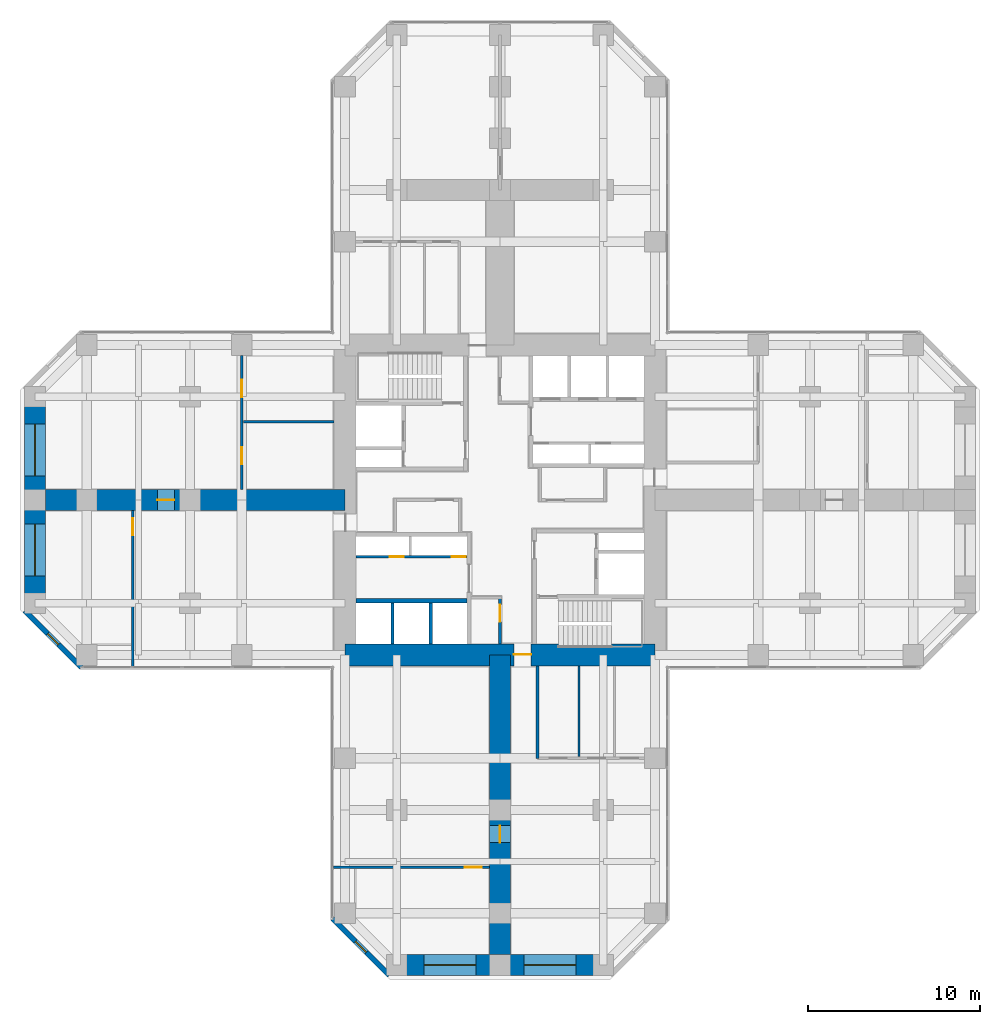
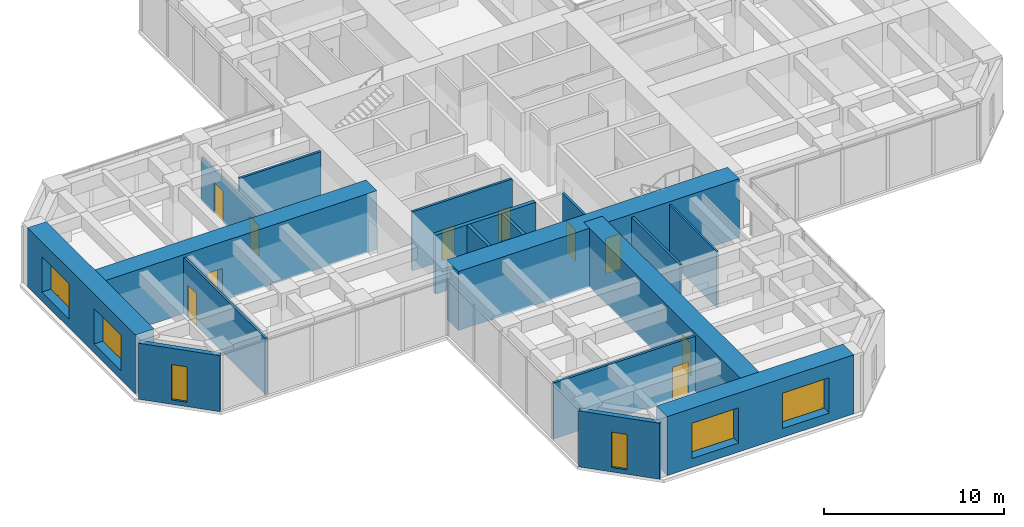
# One storey, part 8 of 12: 18 walls, 10 doors, 6 windows, 16 openings.
"""IFC4 building model written with IfcOpenShell, lengths in metres."""

from ifc_helpers import new_model, si_unit, direction, frame, frame_2d, origin, place, context, subcontext, project, spatial, rectangle, hollow_rectangle, extrude, material, layer, layer_set, constituent, constituent_set, type_object, element, fill, save


model = new_model("IFC4")

# Units and contexts
model_context = context("Model", 3, precision=1e-05, world=origin(), true_north=direction((0.0, 1.0)))
body_context = subcontext(model_context, "Body", "Model", "MODEL_VIEW")
ifc_project = project(units=[si_unit("LENGTHUNIT", "METRE"), si_unit("AREAUNIT", "SQUARE_METRE"), si_unit("VOLUMEUNIT", "CUBIC_METRE"), si_unit("PLANEANGLEUNIT", "RADIAN"), si_unit("MASSUNIT", "GRAM", prefix="KILO")], contexts=[model_context])

# Site, building, storey
site_placement = place(None, origin())
site = spatial("IfcSite", under=ifc_project, at=site_placement, CompositionType="ELEMENT")
building_placement = place(site_placement, origin())
building = spatial("IfcBuilding", under=site, at=building_placement, Name="Torre Cruceta", CompositionType="ELEMENT")
storey_placement = place(building_placement, frame((0.0, 0.0, 59.5)))
storey = spatial("IfcBuildingStorey", under=building, at=storey_placement, Name="L14", CompositionType="ELEMENT", Elevation=59.5)

# Wall
ifc_material_1 = material(Name="Concrete G60 (fck 60 MPa)", Category="concrete")
ifc_layer_1 = layer(ifc_material_1, 0.25)
ifc_layer_set_1 = layer_set([ifc_layer_1], Name="Concrete G60 (fck 60 MPa)")
wall_type_1 = type_object("IfcWallType", Name="CORE INNER WALL 250 G60", PredefinedType="SHEAR", material=ifc_layer_set_1)
wall_1_placement = place(storey_placement, frame((-1.925048828125, -5.85009765625, 0.0), z_axis=(0.0, 0.0, 1.0), x_axis=(-1.0, 0.0, 0.0)))
element("IfcWall", 1, at=wall_1_placement, inside=storey, type_object=wall_type_1, Name="CW4 L14 SW-LV", PredefinedType="SHEAR", context=body_context, shape_type="SweptSolid", body=[
    extrude(rectangle(XDim=6.425048828125, YDim=0.25, at=frame_2d((3.21240234375, 0.0))), origin(), (0.0, 0.0, 1.0), 4.0),
])

# Wall, opening, door
ifc_material_2 = material(Name="Concrete G60 (fck 60 MPa)", Category="concrete")
ifc_layer_2 = layer(ifc_material_2, 1.300048828125)
ifc_layer_set_2 = layer_set([ifc_layer_2], Name="Concrete G60 (fck 60 MPa)")
wall_type_2 = type_object("IfcWallType", Name="CORE WALL 1300 G60", PredefinedType="SHEAR", material=ifc_layer_set_2)
wall_2_placement = place(storey_placement, frame((-9.0, -9.0, 0.0), z_axis=(0.0, 0.0, 1.0), x_axis=(1.0, 0.0, 0.0)))
wall_2 = element("IfcWall", 2, at=wall_2_placement, inside=storey, type_object=wall_type_2, Name="CW1 L14 CW-S", PredefinedType="SHEAR", context=body_context, shape_type="SweptSolid", body=[
    extrude(rectangle(XDim=18.0, YDim=1.300048828125, at=frame_2d((9.0, 0.0))), origin(), (0.0, 0.0, 1.0), 4.0),
])
opening_1_placement = place(wall_2_placement, frame((9.800048828125, 0.0, 0.0)))
opening_1 = element("IfcOpeningElement", 3, at=opening_1_placement, cuts=wall_2, Name="Opening D4", PredefinedType="OPENING", context=body_context, shape_type="SweptSolid", body=[
    extrude(rectangle(XDim=1.0, YDim=2.39990234375, at=frame_2d((0.5, 1.199951171875))), frame((0.0, 0.659912109375, 0.0), z_axis=(0.0, -1.0, 0.0), x_axis=(1.0, 0.0, 0.0)), (0.0, 0.0, 1.0), 1.320068359375),
])
ifc_material_3 = material(Name="Steel DX51D", Category="steel")
ifc_constituent_1 = constituent(ifc_material_3, Name="Leaf and frame")
ifc_material_4 = material(Name="Polyester powder coating", Category="paint")
ifc_constituent_2 = constituent(ifc_material_4, Name="Finish")
ifc_constituent_set_1 = constituent_set(constituents=[ifc_constituent_1, ifc_constituent_2], Name="Steel fire door")
door_type_1 = type_object("IfcDoorType", Name="CORE ARM DOOR 1000X2400", OperationType="SINGLE_SWING_RIGHT", PredefinedType="DOOR", material=ifc_constituent_set_1)
door_1_placement = place(opening_1_placement, frame((1.0, 0.0, 0.0), z_axis=(0.0, 0.0, 1.0), x_axis=(-1.0, 0.0, 0.0)))
door_1 = element("IfcDoor", 4, at=door_1_placement, inside=storey, type_object=door_type_1, Name="D4 L14 CW-S", OperationType="SINGLE_SWING_RIGHT", OverallHeight=2.39990234375, OverallWidth=1.0, PredefinedType="DOOR", context=body_context, shape_type="SweptSolid", body=[
    extrude(rectangle(XDim=1.0, YDim=2.39990234375, at=frame_2d((0.5, 1.199951171875))), frame((0.0, -0.005126953125, 0.0), z_axis=(0.0, -1.0, 0.0), x_axis=(1.0, 0.0, 0.0)), (0.0, 0.0, 1.0), 0.050048828125),
])
fill(opening_1, door_1)

# Wall, opening, window
ifc_material_5 = material(Name="Concrete G30 (fck 30 MPa)", Category="concrete")
ifc_layer_3 = layer(ifc_material_5, 0.300048828125)
ifc_layer_set_3 = layer_set([ifc_layer_3], Name="Concrete G30 (fck 30 MPa)")
wall_type_3 = type_object("IfcWallType", Name="EXPOSED CONCRETE FACADE WALL 300", PredefinedType="SOLIDWALL", material=ifc_layer_set_3)
wall_3_placement = place(storey_placement, frame((-27.60009765625, -6.418212890625, 0.0), z_axis=(0.0, 0.0, 1.0), x_axis=(0.707106781187, -0.707106781187, 0.0)))
wall_3 = element("IfcWall", 5, at=wall_3_placement, inside=storey, type_object=wall_type_3, Name="EW1 facade wall L14 W chamfer 13", PredefinedType="SOLIDWALL", context=body_context, shape_type="SweptSolid", body=[
    extrude(rectangle(XDim=4.66943359375, YDim=0.300048828125, at=frame_2d((2.334716796875, 0.0))), origin(), (0.0, 0.0, 1.0), 3.800048828125),
])
opening_2_placement = place(wall_3_placement, frame((1.884765625, 0.0, 0.300048828125)))
opening_2 = element("IfcOpeningElement", 6, at=opening_2_placement, cuts=wall_3, Name="Opening WN5", PredefinedType="OPENING", context=body_context, shape_type="SweptSolid", body=[
    extrude(rectangle(XDim=0.89990234375, YDim=2.39990234375, at=frame_2d((0.449951171875, 1.199951171875))), frame((0.0, 0.159912109375, 0.0), z_axis=(0.0, -1.0, 0.0), x_axis=(1.0, 0.0, 0.0)), (0.0, 0.0, 1.0), 0.320068359375),
])
ifc_material_6 = material(Name="Aluminium window frame", Category="aluminium")
ifc_constituent_3 = constituent(ifc_material_6, Name="Frame")
ifc_material_7 = material(Name="Laminated insulating glass unit, low-iron clear", Category="glass")
ifc_constituent_4 = constituent(ifc_material_7, Name="Glazing")
ifc_constituent_set_2 = constituent_set(constituents=[ifc_constituent_3, ifc_constituent_4], Name="Aluminium window")
window_type_1 = type_object("IfcWindowType", Name="CHAMFER SLOT WINDOW 900X2400", PartitioningType="SINGLE_PANEL", PredefinedType="WINDOW", material=ifc_constituent_set_2)
window_1_placement = place(opening_2_placement, origin())
window_1 = element("IfcWindow", 7, at=window_1_placement, inside=storey, type_object=window_type_1, Name="WN5 L14 W 1", OverallHeight=2.39990234375, OverallWidth=0.89990234375, PartitioningType="SINGLE_PANEL", PredefinedType="WINDOW", context=body_context, shape_type="SweptSolid", body=[
    extrude(hollow_rectangle(XDim=0.89990234375, YDim=2.39990234375, WallThickness=0.06005859375, at=frame_2d((0.449951171875, 1.199951171875))), frame((0.0, 0.030029296875, 0.0), z_axis=(0.0, -1.0, 0.0), x_axis=(1.0, 0.0, 0.0)), (0.0, 0.0, 1.0), 0.06005859375),
    extrude(rectangle(XDim=0.77880859375, YDim=2.27880859375, at=frame_2d((0.449951171875, 1.199951171875))), frame((0.0, 0.030029296875, 0.0), z_axis=(0.0, -1.0, 0.0), x_axis=(1.0, 0.0, 0.0)), (0.0, 0.0, 1.0), 0.06005859375),
])
fill(opening_2, window_1)

wall_4_placement = place(storey_placement, frame((-9.719970703125, -24.29833984375, 0.0), z_axis=(0.0, 0.0, 1.0), x_axis=(0.707106781187, -0.707106781187, 0.0)))
wall_4 = element("IfcWall", 8, at=wall_4_placement, inside=storey, type_object=wall_type_3, Name="EW1 facade wall L14 S chamfer 16", PredefinedType="SOLIDWALL", context=body_context, shape_type="SweptSolid", body=[
    extrude(rectangle(XDim=4.66943359375, YDim=0.300048828125, at=frame_2d((2.334716796875, 0.0))), origin(), (0.0, 0.0, 1.0), 3.800048828125),
])
opening_3_placement = place(wall_4_placement, frame((1.884765625, 0.0, 0.300048828125)))
opening_3 = element("IfcOpeningElement", 9, at=opening_3_placement, cuts=wall_4, Name="Opening WN5", PredefinedType="OPENING", context=body_context, shape_type="SweptSolid", body=[
    extrude(rectangle(XDim=0.89990234375, YDim=2.39990234375, at=frame_2d((0.449951171875, 1.199951171875))), frame((0.0, 0.159912109375, 0.0), z_axis=(0.0, -1.0, 0.0), x_axis=(1.0, 0.0, 0.0)), (0.0, 0.0, 1.0), 0.320068359375),
])
window_2_placement = place(opening_3_placement, origin())
window_2 = element("IfcWindow", 10, at=window_2_placement, inside=storey, type_object=window_type_1, Name="WN5 L14 S 1", OverallHeight=2.39990234375, OverallWidth=0.89990234375, PartitioningType="SINGLE_PANEL", PredefinedType="WINDOW", context=body_context, shape_type="SweptSolid", body=[
    extrude(hollow_rectangle(XDim=0.89990234375, YDim=2.39990234375, WallThickness=0.06005859375, at=frame_2d((0.449951171875, 1.199951171875))), frame((0.0, 0.030029296875, 0.0), z_axis=(0.0, -1.0, 0.0), x_axis=(1.0, 0.0, 0.0)), (0.0, 0.0, 1.0), 0.06005859375),
    extrude(rectangle(XDim=0.77880859375, YDim=2.27880859375, at=frame_2d((0.449951171875, 1.199951171875))), frame((0.0, 0.030029296875, 0.0), z_axis=(0.0, -1.0, 0.0), x_axis=(1.0, 0.0, 0.0)), (0.0, 0.0, 1.0), 0.06005859375),
])
fill(opening_3, window_2)

# Walls
ifc_material_8 = material(Name="Concrete G35 (fck 35 MPa)", Category="concrete")
ifc_layer_4 = layer(ifc_material_8, 0.199951171875)
ifc_layer_set_4 = layer_set([ifc_layer_4], Name="Concrete G35 (fck 35 MPa)")
wall_type_4 = type_object("IfcWallType", Name="LIFT SHAFT WALL 200", PredefinedType="PARTITIONING", material=ifc_layer_set_4)
for number, where, z_axis, x_axis, name in (
    (11, (-4.033447265625, -5.97509765625, 0.0), (0.0, 0.0, 1.0), (0.0, -1.0, 0.0), "SW1 L14 SW-LS1"),
    (12, (-6.24169921875, -5.97509765625, 0.0), (0.0, 0.0, 1.0), (0.0, -1.0, 0.0), "SW1 L14 SW-LS2"),
):
    element("IfcWall", number, at=place(storey_placement, frame(where, z_axis=z_axis, x_axis=x_axis)), inside=storey, type_object=wall_type_4, Name=name, PredefinedType="PARTITIONING", context=body_context, shape_type="SweptSolid", body=[
        extrude(rectangle(XDim=2.375, YDim=0.199951171875, at=frame_2d((1.1875, 0.0))), origin(), (0.0, 0.0, 1.0), 4.0),
    ])

# Wall, openings, windows
ifc_material_9 = material(Name="Concrete G60 (fck 60 MPa)", Category="concrete")
ifc_layer_5 = layer(ifc_material_9, 1.199951171875)
ifc_layer_set_5 = layer_set([ifc_layer_5], Name="Concrete G60 (fck 60 MPa)")
wall_type_5 = type_object("IfcWallType", Name="NOSE WALL 1200 G60", PredefinedType="SHEAR", material=ifc_layer_set_5)
wall_5_placement = place(storey_placement, frame((-6.0, -27.0, 0.0), z_axis=(0.0, 0.0, 1.0), x_axis=(1.0, 0.0, 0.0)))
wall_5 = element("IfcWall", 13, at=wall_5_placement, inside=storey, type_object=wall_type_5, Name="NW1 nose wall L14 S", PredefinedType="SHEAR", context=body_context, shape_type="SweptSolid", body=[
    extrude(rectangle(XDim=12.0, YDim=1.199951171875, at=frame_2d((6.0, 0.0))), origin(), (0.0, 0.0, 1.0), 4.0),
])
opening_4_placement = place(wall_5_placement, frame((1.60009765625, 0.0, 0.60009765625)))
opening_4 = element("IfcOpeningElement", 14, at=opening_4_placement, cuts=wall_5, Name="Opening WN6", PredefinedType="OPENING", context=body_context, shape_type="SweptSolid", body=[
    extrude(rectangle(XDim=3.0, YDim=2.39990234375, at=frame_2d((1.5, 1.199951171875))), frame((0.0, 0.60986328125, 0.0), z_axis=(0.0, -1.0, 0.0), x_axis=(1.0, 0.0, 0.0)), (0.0, 0.0, 1.0), 1.219970703125),
])
opening_5_placement = place(wall_5_placement, frame((7.39990234375, 0.0, 0.60009765625)))
opening_5 = element("IfcOpeningElement", 15, at=opening_5_placement, cuts=wall_5, Name="Opening WN6", PredefinedType="OPENING", context=body_context, shape_type="SweptSolid", body=[
    extrude(rectangle(XDim=3.0, YDim=2.39990234375, at=frame_2d((1.5, 1.199951171875))), frame((0.0, 0.60986328125, 0.0), z_axis=(0.0, -1.0, 0.0), x_axis=(1.0, 0.0, 0.0)), (0.0, 0.0, 1.0), 1.219970703125),
])
ifc_material_10 = material(Name="Aluminium window frame", Category="aluminium")
ifc_constituent_5 = constituent(ifc_material_10, Name="Frame")
ifc_material_11 = material(Name="Laminated insulating glass unit, low-iron clear", Category="glass")
ifc_constituent_6 = constituent(ifc_material_11, Name="Glazing")
ifc_constituent_set_3 = constituent_set(constituents=[ifc_constituent_5, ifc_constituent_6], Name="Aluminium window")
window_type_2 = type_object("IfcWindowType", Name="NOSE WALL WINDOW 3000X2400", PartitioningType="SINGLE_PANEL", PredefinedType="WINDOW", material=ifc_constituent_set_3)
window_3_placement = place(opening_4_placement, origin())
window_3 = element("IfcWindow", 16, at=window_3_placement, inside=storey, type_object=window_type_2, Name="WN6 L14 S 1", OverallHeight=2.39990234375, OverallWidth=3.0, PartitioningType="SINGLE_PANEL", PredefinedType="WINDOW", context=body_context, shape_type="SweptSolid", body=[
    extrude(hollow_rectangle(XDim=3.0, YDim=2.39990234375, WallThickness=0.06005859375, at=frame_2d((1.5, 1.199951171875))), frame((0.0, 0.030029296875, 0.0), z_axis=(0.0, -1.0, 0.0), x_axis=(1.0, 0.0, 0.0)), (0.0, 0.0, 1.0), 0.06005859375),
    extrude(rectangle(XDim=2.87890625, YDim=2.27880859375, at=frame_2d((1.5, 1.199951171875))), frame((0.0, 0.030029296875, 0.0), z_axis=(0.0, -1.0, 0.0), x_axis=(1.0, 0.0, 0.0)), (0.0, 0.0, 1.0), 0.06005859375),
])
fill(opening_4, window_3)
window_4_placement = place(opening_5_placement, origin())
window_4 = element("IfcWindow", 17, at=window_4_placement, inside=storey, type_object=window_type_2, Name="WN6 L14 S 2", OverallHeight=2.39990234375, OverallWidth=3.0, PartitioningType="SINGLE_PANEL", PredefinedType="WINDOW", context=body_context, shape_type="SweptSolid", body=[
    extrude(hollow_rectangle(XDim=3.0, YDim=2.39990234375, WallThickness=0.06005859375, at=frame_2d((1.5, 1.199951171875))), frame((0.0, 0.030029296875, 0.0), z_axis=(0.0, -1.0, 0.0), x_axis=(1.0, 0.0, 0.0)), (0.0, 0.0, 1.0), 0.06005859375),
    extrude(rectangle(XDim=2.87890625, YDim=2.27880859375, at=frame_2d((1.5, 1.199951171875))), frame((0.0, 0.030029296875, 0.0), z_axis=(0.0, -1.0, 0.0), x_axis=(1.0, 0.0, 0.0)), (0.0, 0.0, 1.0), 0.06005859375),
])
fill(opening_5, window_4)

wall_6_placement = place(storey_placement, frame((-27.0, 6.0, 0.0), z_axis=(0.0, 0.0, 1.0), x_axis=(0.0, -1.0, 0.0)))
wall_6 = element("IfcWall", 18, at=wall_6_placement, inside=storey, type_object=wall_type_5, Name="NW1 nose wall L14 W", PredefinedType="SHEAR", context=body_context, shape_type="SweptSolid", body=[
    extrude(rectangle(XDim=12.0, YDim=1.199951171875, at=frame_2d((6.0, 0.0))), origin(), (0.0, 0.0, 1.0), 4.0),
])
opening_6_placement = place(wall_6_placement, frame((1.60009765625, 0.0, 0.60009765625)))
opening_6 = element("IfcOpeningElement", 19, at=opening_6_placement, cuts=wall_6, Name="Opening WN6", PredefinedType="OPENING", context=body_context, shape_type="SweptSolid", body=[
    extrude(rectangle(XDim=3.0, YDim=2.39990234375, at=frame_2d((1.5, 1.199951171875))), frame((0.0, 0.60986328125, 0.0), z_axis=(0.0, -1.0, 0.0), x_axis=(1.0, 0.0, 0.0)), (0.0, 0.0, 1.0), 1.219970703125),
])
opening_7_placement = place(wall_6_placement, frame((7.39990234375, 0.0, 0.60009765625)))
opening_7 = element("IfcOpeningElement", 20, at=opening_7_placement, cuts=wall_6, Name="Opening WN6", PredefinedType="OPENING", context=body_context, shape_type="SweptSolid", body=[
    extrude(rectangle(XDim=3.0, YDim=2.39990234375, at=frame_2d((1.5, 1.199951171875))), frame((0.0, 0.60986328125, 0.0), z_axis=(0.0, -1.0, 0.0), x_axis=(1.0, 0.0, 0.0)), (0.0, 0.0, 1.0), 1.219970703125),
])
window_5_placement = place(opening_6_placement, origin())
window_5 = element("IfcWindow", 21, at=window_5_placement, inside=storey, type_object=window_type_2, Name="WN6 L14 W 1", OverallHeight=2.39990234375, OverallWidth=3.0, PartitioningType="SINGLE_PANEL", PredefinedType="WINDOW", context=body_context, shape_type="SweptSolid", body=[
    extrude(hollow_rectangle(XDim=3.0, YDim=2.39990234375, WallThickness=0.06005859375, at=frame_2d((1.5, 1.199951171875))), frame((0.0, 0.030029296875, 0.0), z_axis=(0.0, -1.0, 0.0), x_axis=(1.0, 0.0, 0.0)), (0.0, 0.0, 1.0), 0.06005859375),
    extrude(rectangle(XDim=2.87890625, YDim=2.27880859375, at=frame_2d((1.5, 1.199951171875))), frame((0.0, 0.030029296875, 0.0), z_axis=(0.0, -1.0, 0.0), x_axis=(1.0, 0.0, 0.0)), (0.0, 0.0, 1.0), 0.06005859375),
])
fill(opening_6, window_5)
window_6_placement = place(opening_7_placement, origin())
window_6 = element("IfcWindow", 22, at=window_6_placement, inside=storey, type_object=window_type_2, Name="WN6 L14 W 2", OverallHeight=2.39990234375, OverallWidth=3.0, PartitioningType="SINGLE_PANEL", PredefinedType="WINDOW", context=body_context, shape_type="SweptSolid", body=[
    extrude(hollow_rectangle(XDim=3.0, YDim=2.39990234375, WallThickness=0.06005859375, at=frame_2d((1.5, 1.199951171875))), frame((0.0, 0.030029296875, 0.0), z_axis=(0.0, -1.0, 0.0), x_axis=(1.0, 0.0, 0.0)), (0.0, 0.0, 1.0), 0.06005859375),
    extrude(rectangle(XDim=2.87890625, YDim=2.27880859375, at=frame_2d((1.5, 1.199951171875))), frame((0.0, 0.030029296875, 0.0), z_axis=(0.0, -1.0, 0.0), x_axis=(1.0, 0.0, 0.0)), (0.0, 0.0, 1.0), 0.06005859375),
])
fill(opening_7, window_6)

# Wall, opening, door
ifc_material_12 = material(Name="Plasterboard on steel studs", Category="steel")
ifc_layer_6 = layer(ifc_material_12, 0.14990234375)
ifc_layer_set_6 = layer_set([ifc_layer_6], Name="Plasterboard on steel studs")
wall_type_6 = type_object("IfcWallType", Name="PARTITION 150", PredefinedType="PARTITIONING", material=ifc_layer_set_6)
wall_7_placement = place(storey_placement, frame((0.0, -5.675048828125, 0.0), z_axis=(0.0, 0.0, 1.0), x_axis=(0.0, -1.0, 0.0)))
wall_7 = element("IfcWall", 23, at=wall_7_placement, inside=storey, type_object=wall_type_6, Name="PT1 L14-CORE-LEGS-W-W1", PredefinedType="PARTITIONING", context=body_context, shape_type="SweptSolid", body=[
    extrude(rectangle(XDim=2.675048828125, YDim=0.14990234375, at=frame_2d((1.33740234375, 0.0))), origin(), (0.0, 0.0, 1.0), 3.800048828125),
])
opening_8_placement = place(wall_7_placement, frame((0.39990234375, 0.0, 0.0)))
opening_8 = element("IfcOpeningElement", 24, at=opening_8_placement, cuts=wall_7, Name="Opening D3", PredefinedType="OPENING", context=body_context, shape_type="SweptSolid", body=[
    extrude(rectangle(XDim=1.0, YDim=2.10009765625, at=frame_2d((0.5, 1.050048828125))), frame((0.0, 0.0849609375, 0.0), z_axis=(0.0, -1.0, 0.0), x_axis=(1.0, 0.0, 0.0)), (0.0, 0.0, 1.0), 0.169921875),
])
ifc_material_13 = material(Name="Steel DX51D", Category="steel")
ifc_constituent_7 = constituent(ifc_material_13, Name="Leaf and frame")
ifc_material_14 = material(Name="Polyester powder coating", Category="paint")
ifc_constituent_8 = constituent(ifc_material_14, Name="Finish")
ifc_constituent_set_4 = constituent_set(constituents=[ifc_constituent_7, ifc_constituent_8], Name="Steel fire door")
door_type_2 = type_object("IfcDoorType", Name="FIRE DOOR 1000X2100", OperationType="SINGLE_SWING_LEFT", PredefinedType="DOOR", material=ifc_constituent_set_4)
door_2_placement = place(opening_8_placement, frame((1.0, 0.0, 0.0), z_axis=(0.0, 0.0, 1.0), x_axis=(-1.0, 0.0, 0.0)))
door_2 = element("IfcDoor", 25, at=door_2_placement, inside=storey, type_object=door_type_2, Name="D3 L14-CORE-LEGS-W-W1-D1", OperationType="SINGLE_SWING_RIGHT", OverallHeight=2.10009765625, OverallWidth=1.0, PredefinedType="DOOR", context=body_context, shape_type="SweptSolid", body=[
    extrude(rectangle(XDim=1.0, YDim=2.10009765625, at=frame_2d((0.5, 1.050048828125))), frame((0.0, 0.025146484375, 0.0), z_axis=(0.0, -1.0, 0.0), x_axis=(1.0, 0.0, 0.0)), (0.0, 0.0, 1.0), 0.050048828125),
])
fill(opening_8, door_2)

# Wall
wall_8_placement = place(storey_placement, frame((2.175048828125, -9.64990234375, 0.0), z_axis=(0.0, 0.0, 1.0), x_axis=(0.0, -1.0, 0.0)))
element("IfcWall", 26, at=wall_8_placement, inside=storey, type_object=wall_type_6, Name="PT1 L14-S-BSL", PredefinedType="PARTITIONING", context=body_context, shape_type="SweptSolid", body=[
    extrude(rectangle(XDim=5.35009765625, YDim=0.14990234375, at=frame_2d((2.675048828125, 0.0))), origin(), (0.0, 0.0, 1.0), 3.800048828125),
])

# Wall, opening, door
wall_9_placement = place(storey_placement, frame((-9.679931640625, -21.320068359375, 0.0), z_axis=(0.0, 0.0, 1.0), x_axis=(1.0, 0.0, 0.0)))
wall_9 = element("IfcWall", 27, at=wall_9_placement, inside=storey, type_object=wall_type_6, Name="PT1 L14-S-TWR", PredefinedType="PARTITIONING", context=body_context, shape_type="SweptSolid", body=[
    extrude(rectangle(XDim=9.079833984375, YDim=0.14990234375, at=frame_2d((4.5400390625, 0.0))), origin(), (0.0, 0.0, 1.0), 3.800048828125),
])
opening_9_placement = place(wall_9_placement, frame((7.6298828125, 0.0, 0.0)))
opening_9 = element("IfcOpeningElement", 28, at=opening_9_placement, cuts=wall_9, Name="Opening D14", PredefinedType="OPENING", context=body_context, shape_type="SweptSolid", body=[
    extrude(rectangle(XDim=1.0, YDim=2.199951171875, at=frame_2d((0.5, 1.10009765625))), frame((0.0, 0.0849609375, 0.0), z_axis=(0.0, -1.0, 0.0), x_axis=(1.0, 0.0, 0.0)), (0.0, 0.0, 1.0), 0.169921875),
])
ifc_material_15 = material(Name="Steel DX51D", Category="steel")
ifc_constituent_9 = constituent(ifc_material_15, Name="Leaf and frame")
ifc_material_16 = material(Name="Polyester powder coating", Category="paint")
ifc_constituent_10 = constituent(ifc_material_16, Name="Finish")
ifc_material_17 = material(Name="Fire-resisting glass", Category="glass")
ifc_constituent_11 = constituent(ifc_material_17, Name="Vision panel")
ifc_constituent_set_5 = constituent_set(constituents=[ifc_constituent_9, ifc_constituent_10, ifc_constituent_11], Name="Steel fire door with vision panel")
door_type_3 = type_object("IfcDoorType", Name="FIRE DOOR VISION PANEL 1000X2200", OperationType="SINGLE_SWING_RIGHT", PredefinedType="DOOR", material=ifc_constituent_set_5)
door_3_placement = place(opening_9_placement, frame((1.0, 0.0, 0.0), z_axis=(0.0, 0.0, 1.0), x_axis=(-1.0, 0.0, 0.0)))
door_3 = element("IfcDoor", 29, at=door_3_placement, inside=storey, type_object=door_type_3, Name="D14 L14-S-TWR-D1", OperationType="SINGLE_SWING_LEFT", OverallHeight=2.199951171875, OverallWidth=1.0, PredefinedType="DOOR", context=body_context, shape_type="SweptSolid", body=[
    extrude(rectangle(XDim=1.0, YDim=2.199951171875, at=frame_2d((0.5, 1.10009765625))), frame((0.0, 0.025146484375, 0.0), z_axis=(0.0, -1.0, 0.0), x_axis=(1.0, 0.0, 0.0)), (0.0, 0.0, 1.0), 0.050048828125),
])
fill(opening_9, door_3)

# Wall, openings, doors
wall_10_placement = place(storey_placement, frame((-15.0, 8.39990234375, 0.0), z_axis=(0.0, 0.0, 1.0), x_axis=(0.0, -1.0, 0.0)))
wall_10 = element("IfcWall", 30, at=wall_10_placement, inside=storey, type_object=wall_type_6, Name="PT1 L14-W-BFR", PredefinedType="PARTITIONING", context=body_context, shape_type="SweptSolid", body=[
    extrude(rectangle(XDim=7.7998046875, YDim=0.14990234375, at=frame_2d((3.89990234375, 0.0))), origin(), (0.0, 0.0, 1.0), 2.949951171875),
])
opening_10_placement = place(wall_10_placement, frame((1.425048828125, 0.0, 0.0)))
opening_10 = element("IfcOpeningElement", 31, at=opening_10_placement, cuts=wall_10, Name="Opening D3", PredefinedType="OPENING", context=body_context, shape_type="SweptSolid", body=[
    extrude(rectangle(XDim=1.0, YDim=2.10009765625, at=frame_2d((0.5, 1.050048828125))), frame((0.0, 0.0849609375, 0.0), z_axis=(0.0, -1.0, 0.0), x_axis=(1.0, 0.0, 0.0)), (0.0, 0.0, 1.0), 0.169921875),
])
opening_11_placement = place(wall_10_placement, frame((5.324951171875, 0.0, 0.0)))
opening_11 = element("IfcOpeningElement", 32, at=opening_11_placement, cuts=wall_10, Name="Opening D3", PredefinedType="OPENING", context=body_context, shape_type="SweptSolid", body=[
    extrude(rectangle(XDim=1.0, YDim=2.10009765625, at=frame_2d((0.5, 1.050048828125))), frame((0.0, 0.0849609375, 0.0), z_axis=(0.0, -1.0, 0.0), x_axis=(1.0, 0.0, 0.0)), (0.0, 0.0, 1.0), 0.169921875),
])
door_4_placement = place(opening_10_placement, origin())
door_4 = element("IfcDoor", 33, at=door_4_placement, inside=storey, type_object=door_type_2, Name="D3 L14-W-BFR-D1", OperationType="SINGLE_SWING_RIGHT", OverallHeight=2.10009765625, OverallWidth=1.0, PredefinedType="DOOR", context=body_context, shape_type="SweptSolid", body=[
    extrude(rectangle(XDim=1.0, YDim=2.10009765625, at=frame_2d((0.5, 1.050048828125))), frame((0.0, 0.02490234375, 0.0), z_axis=(0.0, -1.0, 0.0), x_axis=(1.0, 0.0, 0.0)), (0.0, 0.0, 1.0), 0.050048828125),
])
fill(opening_10, door_4)
door_5_placement = place(opening_11_placement, origin())
door_5 = element("IfcDoor", 34, at=door_5_placement, inside=storey, type_object=door_type_2, Name="D3 L14-W-BFR-D2", OperationType="SINGLE_SWING_LEFT", OverallHeight=2.10009765625, OverallWidth=1.0, PredefinedType="DOOR", context=body_context, shape_type="SweptSolid", body=[
    extrude(rectangle(XDim=1.0, YDim=2.10009765625, at=frame_2d((0.5, 1.050048828125))), frame((0.0, 0.02490234375, 0.0), z_axis=(0.0, -1.0, 0.0), x_axis=(1.0, 0.0, 0.0)), (0.0, 0.0, 1.0), 0.050048828125),
])
fill(opening_11, door_5)

# Wall
wall_11_placement = place(storey_placement, frame((-9.64990234375, 4.550048828125, 0.0), z_axis=(0.0, 0.0, 1.0), x_axis=(-1.0, 0.0, 0.0)))
element("IfcWall", 35, at=wall_11_placement, inside=storey, type_object=wall_type_6, Name="PT1 L14-W-BDR1", PredefinedType="PARTITIONING", context=body_context, shape_type="SweptSolid", body=[
    extrude(rectangle(XDim=5.25, YDim=0.14990234375, at=frame_2d((2.625, 0.0))), origin(), (0.0, 0.0, 1.0), 3.800048828125),
])

# Wall, opening, door
wall_12_placement = place(storey_placement, frame((-21.320068359375, -0.60009765625, 0.0), z_axis=(0.0, 0.0, 1.0), x_axis=(0.0, -1.0, 0.0)))
wall_12 = element("IfcWall", 36, at=wall_12_placement, inside=storey, type_object=wall_type_6, Name="PT1 L14-W-TWL", PredefinedType="PARTITIONING", context=body_context, shape_type="SweptSolid", body=[
    extrude(rectangle(XDim=9.079833984375, YDim=0.14990234375, at=frame_2d((4.5400390625, 0.0))), origin(), (0.0, 0.0, 1.0), 3.800048828125),
])
opening_12_placement = place(wall_12_placement, frame((0.449951171875, 0.0, 0.0)))
opening_12 = element("IfcOpeningElement", 37, at=opening_12_placement, cuts=wall_12, Name="Opening D14", PredefinedType="OPENING", context=body_context, shape_type="SweptSolid", body=[
    extrude(rectangle(XDim=1.0, YDim=2.199951171875, at=frame_2d((0.5, 1.10009765625))), frame((0.0, 0.0849609375, 0.0), z_axis=(0.0, -1.0, 0.0), x_axis=(1.0, 0.0, 0.0)), (0.0, 0.0, 1.0), 0.169921875),
])
door_6_placement = place(opening_12_placement, frame((1.0, 0.0, 0.0), z_axis=(0.0, 0.0, 1.0), x_axis=(-1.0, 0.0, 0.0)))
door_6 = element("IfcDoor", 38, at=door_6_placement, inside=storey, type_object=door_type_3, Name="D14 L14-W-TWL-D1", OperationType="SINGLE_SWING_RIGHT", OverallHeight=2.199951171875, OverallWidth=1.0, PredefinedType="DOOR", context=body_context, shape_type="SweptSolid", body=[
    extrude(rectangle(XDim=1.0, YDim=2.199951171875, at=frame_2d((0.5, 1.10009765625))), frame((0.0, 0.025146484375, 0.0), z_axis=(0.0, -1.0, 0.0), x_axis=(1.0, 0.0, 0.0)), (0.0, 0.0, 1.0), 0.050048828125),
])
fill(opening_12, door_6)

# Wall, openings, doors
ifc_material_18 = material(Name="Concrete block masonry", Category="masonry")
ifc_layer_7 = layer(ifc_material_18, 0.14990234375)
ifc_layer_set_7 = layer_set([ifc_layer_7], Name="Concrete block masonry")
wall_type_7 = type_object("IfcWallType", Name="RISER WALL 150", PredefinedType="PARTITIONING", material=ifc_layer_set_7)
wall_13_placement = place(storey_placement, frame((-1.925048828125, -3.300048828125, 0.0), z_axis=(0.0, 0.0, 1.0), x_axis=(-1.0, 0.0, 0.0)))
wall_13 = element("IfcWall", 39, at=wall_13_placement, inside=storey, type_object=wall_type_7, Name="SW7 L14 SW-RV", PredefinedType="PARTITIONING", context=body_context, shape_type="SweptSolid", body=[
    extrude(rectangle(XDim=6.425048828125, YDim=0.14990234375, at=frame_2d((3.21240234375, 0.0))), origin(), (0.0, 0.0, 1.0), 4.0),
])
opening_13_placement = place(wall_13_placement, frame((0.074951171875, 0.0, 0.0)))
opening_13 = element("IfcOpeningElement", 40, at=opening_13_placement, cuts=wall_13, Name="Opening D5", PredefinedType="OPENING", context=body_context, shape_type="SweptSolid", body=[
    extrude(rectangle(XDim=0.800048828125, YDim=2.10009765625, at=frame_2d((0.39990234375, 1.050048828125))), frame((0.0, 0.0849609375, 0.0), z_axis=(0.0, -1.0, 0.0), x_axis=(1.0, 0.0, 0.0)), (0.0, 0.0, 1.0), 0.169921875),
])
opening_14_placement = place(wall_13_placement, frame((3.675048828125, 0.0, 0.0)))
opening_14 = element("IfcOpeningElement", 41, at=opening_14_placement, cuts=wall_13, Name="Opening D5", PredefinedType="OPENING", context=body_context, shape_type="SweptSolid", body=[
    extrude(rectangle(XDim=0.800048828125, YDim=2.10009765625, at=frame_2d((0.39990234375, 1.050048828125))), frame((0.0, 0.0849609375, 0.0), z_axis=(0.0, -1.0, 0.0), x_axis=(1.0, 0.0, 0.0)), (0.0, 0.0, 1.0), 0.169921875),
])
ifc_material_19 = material(Name="Steel DX51D", Category="steel")
ifc_constituent_12 = constituent(ifc_material_19, Name="Leaf and frame")
ifc_material_20 = material(Name="Polyester powder coating", Category="paint")
ifc_constituent_13 = constituent(ifc_material_20, Name="Finish")
ifc_constituent_set_6 = constituent_set(constituents=[ifc_constituent_12, ifc_constituent_13], Name="Steel fire door")
door_type_4 = type_object("IfcDoorType", Name="RISER ACCESS DOOR 800X2100", OperationType="SINGLE_SWING_LEFT", PredefinedType="DOOR", material=ifc_constituent_set_6)
door_7_placement = place(opening_13_placement, frame((0.800048828125, 0.0, 0.0), z_axis=(0.0, 0.0, 1.0), x_axis=(-1.0, 0.0, 0.0)))
door_7 = element("IfcDoor", 42, at=door_7_placement, inside=storey, type_object=door_type_4, Name="D5 L14 SW-RISER1", OperationType="SINGLE_SWING_RIGHT", OverallHeight=2.10009765625, OverallWidth=0.800048828125, PredefinedType="DOOR", context=body_context, shape_type="SweptSolid", body=[
    extrude(rectangle(XDim=0.800048828125, YDim=2.10009765625, at=frame_2d((0.400146484375, 1.050048828125))), frame((0.0, 0.025146484375, 0.0), z_axis=(0.0, -1.0, 0.0), x_axis=(1.0, 0.0, 0.0)), (0.0, 0.0, 1.0), 0.050048828125),
])
fill(opening_13, door_7)
door_8_placement = place(opening_14_placement, frame((0.800048828125, 0.0, 0.0), z_axis=(0.0, 0.0, 1.0), x_axis=(-1.0, 0.0, 0.0)))
door_8 = element("IfcDoor", 43, at=door_8_placement, inside=storey, type_object=door_type_4, Name="D5 L14 SW-RISER2", OperationType="SINGLE_SWING_RIGHT", OverallHeight=2.10009765625, OverallWidth=0.800048828125, PredefinedType="DOOR", context=body_context, shape_type="SweptSolid", body=[
    extrude(rectangle(XDim=0.800048828125, YDim=2.10009765625, at=frame_2d((0.400146484375, 1.050048828125))), frame((0.0, 0.025146484375, 0.0), z_axis=(0.0, -1.0, 0.0), x_axis=(1.0, 0.0, 0.0)), (0.0, 0.0, 1.0), 0.050048828125),
])
fill(opening_14, door_8)

# Wall, opening, door
ifc_material_21 = material(Name="Concrete G60 (fck 60 MPa)", Category="concrete")
ifc_layer_8 = layer(ifc_material_21, 1.199951171875)
ifc_layer_set_8 = layer_set([ifc_layer_8], Name="Concrete G60 (fck 60 MPa)")
wall_type_8 = type_object("IfcWallType", Name="SPINE WALL 1200 G60", PredefinedType="SHEAR", material=ifc_layer_set_8)
wall_14_placement = place(storey_placement, frame((0.0, -9.0, 0.0), z_axis=(0.0, 0.0, 1.0), x_axis=(0.0, -1.0, 0.0)))
wall_14 = element("IfcWall", 44, at=wall_14_placement, inside=storey, type_object=wall_type_8, Name="SW3 spine wall L14 S", PredefinedType="SHEAR", context=body_context, shape_type="SweptSolid", body=[
    extrude(rectangle(XDim=18.0, YDim=1.199951171875, at=frame_2d((9.0, 0.0))), origin(), (0.0, 0.0, 1.0), 4.0),
])
opening_15_placement = place(wall_14_placement, frame((9.89990234375, 0.0, 0.0)))
opening_15 = element("IfcOpeningElement", 45, at=opening_15_placement, cuts=wall_14, Name="Opening D14", PredefinedType="OPENING", context=body_context, shape_type="SweptSolid", body=[
    extrude(rectangle(XDim=1.0, YDim=2.199951171875, at=frame_2d((0.5, 1.10009765625))), frame((0.0, 0.60986328125, 0.0), z_axis=(0.0, -1.0, 0.0), x_axis=(1.0, 0.0, 0.0)), (0.0, 0.0, 1.0), 1.219970703125),
])
door_9_placement = place(opening_15_placement, frame((1.0, 0.0, 0.0), z_axis=(0.0, 0.0, 1.0), x_axis=(-1.0, 0.0, 0.0)))
door_9 = element("IfcDoor", 46, at=door_9_placement, inside=storey, type_object=door_type_3, Name="D14 L14-S-SP1", OperationType="SINGLE_SWING_LEFT", OverallHeight=2.199951171875, OverallWidth=1.0, PredefinedType="DOOR", context=body_context, shape_type="SweptSolid", body=[
    extrude(rectangle(XDim=1.0, YDim=2.199951171875, at=frame_2d((0.5, 1.10009765625))), frame((0.0, 0.025146484375, 0.0), z_axis=(0.0, -1.0, 0.0), x_axis=(1.0, 0.0, 0.0)), (0.0, 0.0, 1.0), 0.050048828125),
])
fill(opening_15, door_9)

wall_15_placement = place(storey_placement, frame((-9.0, 0.0, 0.0), z_axis=(0.0, 0.0, 1.0), x_axis=(-1.0, 0.0, 0.0)))
wall_15 = element("IfcWall", 47, at=wall_15_placement, inside=storey, type_object=wall_type_8, Name="SW3 spine wall L14 W", PredefinedType="SHEAR", context=body_context, shape_type="SweptSolid", body=[
    extrude(rectangle(XDim=18.0, YDim=1.199951171875, at=frame_2d((9.0, 0.0))), origin(), (0.0, 0.0, 1.0), 4.0),
])
opening_16_placement = place(wall_15_placement, frame((9.89990234375, 0.0, 0.0)))
opening_16 = element("IfcOpeningElement", 48, at=opening_16_placement, cuts=wall_15, Name="Opening D14", PredefinedType="OPENING", context=body_context, shape_type="SweptSolid", body=[
    extrude(rectangle(XDim=1.0, YDim=2.199951171875, at=frame_2d((0.5, 1.10009765625))), frame((0.0, 0.60986328125, 0.0), z_axis=(0.0, -1.0, 0.0), x_axis=(1.0, 0.0, 0.0)), (0.0, 0.0, 1.0), 1.219970703125),
])
door_10_placement = place(opening_16_placement, frame((1.0, 0.0, 0.0), z_axis=(0.0, 0.0, 1.0), x_axis=(-1.0, 0.0, 0.0)))
door_10 = element("IfcDoor", 49, at=door_10_placement, inside=storey, type_object=door_type_3, Name="D14 L14-W-SP1", OperationType="SINGLE_SWING_RIGHT", OverallHeight=2.199951171875, OverallWidth=1.0, PredefinedType="DOOR", context=body_context, shape_type="SweptSolid", body=[
    extrude(rectangle(XDim=1.0, YDim=2.199951171875, at=frame_2d((0.5, 1.10009765625))), frame((0.0, 0.025146484375, 0.0), z_axis=(0.0, -1.0, 0.0), x_axis=(1.0, 0.0, 0.0)), (0.0, 0.0, 1.0), 0.050048828125),
])
fill(opening_16, door_10)

# Wall
ifc_material_22 = material(Name="Plasterboard on steel studs", Category="steel")
ifc_layer_9 = layer(ifc_material_22, 0.1201171875)
ifc_layer_set_9 = layer_set([ifc_layer_9], Name="Plasterboard on steel studs")
wall_type_9 = type_object("IfcWallType", Name="WC PARTITION 120", PredefinedType="PLUMBINGWALL", material=ifc_layer_set_9)
wall_16_placement = place(storey_placement, frame((4.574951171875, -9.64990234375, 0.0), z_axis=(0.0, 0.0, 1.0), x_axis=(0.0, -1.0, 0.0)))
element("IfcWall", 50, at=wall_16_placement, inside=storey, type_object=wall_type_9, Name="PT5 L14-S-BDL1", PredefinedType="PLUMBINGWALL", context=body_context, shape_type="SweptSolid", body=[
    extrude(rectangle(XDim=5.25, YDim=0.1201171875, at=frame_2d((2.625, 0.0))), origin(), (0.0, 0.0, 1.0), 3.800048828125),
])

save(model, "model.ifc")
